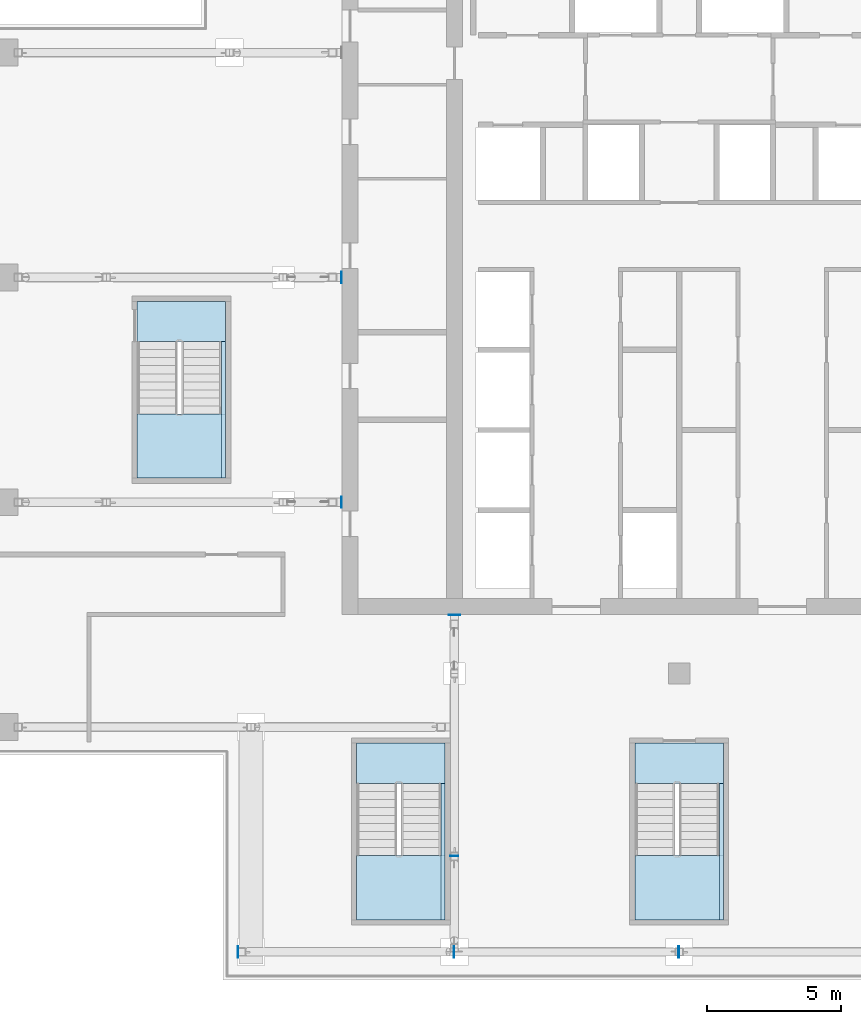
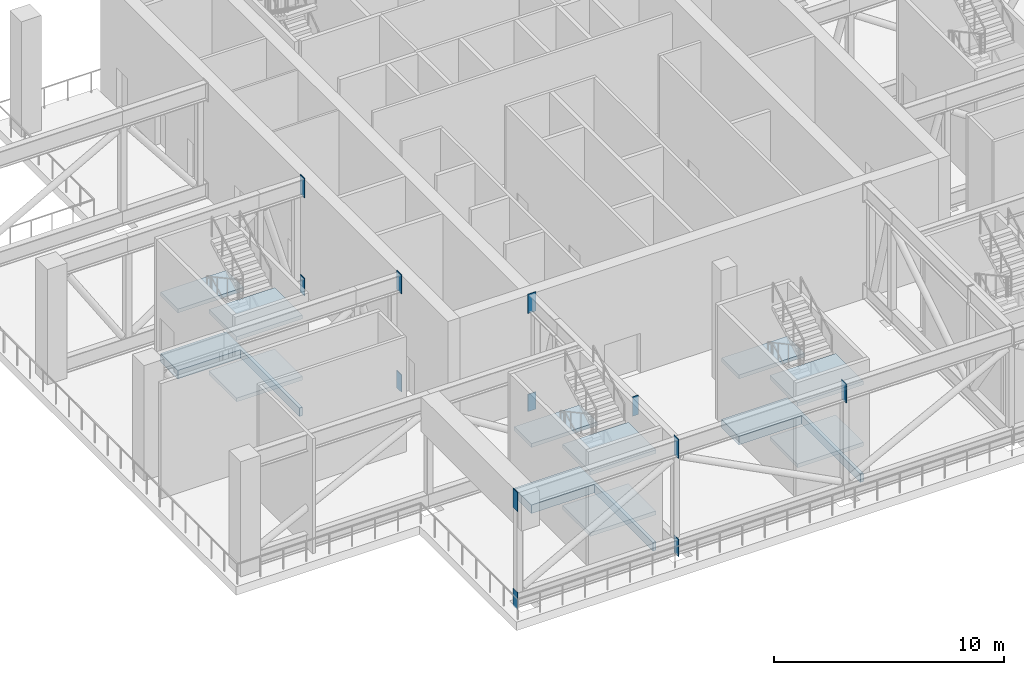
# One storey, part 6 of 24: 12 plates, 12 slabs, 3 elements without a shape of their own.
"""IFC4 building model written with IfcOpenShell, lengths in metres."""

from ifc_helpers import new_model, si_unit, direction, frame, origin, origin_2d, place, context, subcontext, project, spatial, polyline, rectangle, outline, extrude, material, layer, layer_set, type_object, element, aggregate, save


model = new_model("IFC4")

# Units and contexts
model_context = context("Model", 3, precision=1e-05, world=origin(), true_north=direction((0.0, 1.0)))
body_context = subcontext(model_context, "Body", "Model", "MODEL_VIEW")
ifc_project = project(units=[si_unit("LENGTHUNIT", "METRE"), si_unit("AREAUNIT", "SQUARE_METRE"), si_unit("VOLUMEUNIT", "CUBIC_METRE"), si_unit("PLANEANGLEUNIT", "RADIAN"), si_unit("MASSUNIT", "GRAM", prefix="KILO")], contexts=[model_context])

# Site, building, storey
site_placement = place(None, origin())
site = spatial("IfcSite", under=ifc_project, at=site_placement, CompositionType="ELEMENT")
building_placement = place(site_placement, origin())
building = spatial("IfcBuilding", under=site, at=building_placement, Name="Vermilion Ogive Tower", CompositionType="ELEMENT")
storey_placement = place(building_placement, frame((0.0, 0.0, 216.949951171875)))
storey = spatial("IfcBuildingStorey", under=building, at=storey_placement, Name="L57", CompositionType="ELEMENT", Elevation=216.949951171875)

# Plates
ifc_material_1 = material(Name="Steel S355", Category="steel")
ifc_layer_1 = layer(ifc_material_1, 0.030029296875)
ifc_layer_set_1 = layer_set([ifc_layer_1], Name="Cast-in embed plate 30")
plate_type_1 = type_object("IfcPlateType", Name="Cast-in embed plate 30", PredefinedType="USERDEFINED", material=ifc_layer_set_1)
plate_1_placement = place(storey_placement, frame((-12.614990234375, -4.199951171875, -0.059814453125), z_axis=(0.0, 0.0, 1.0), x_axis=(1.0, 0.0, 0.0)))
element("IfcPlate", 1, at=plate_1_placement, inside=storey, type_object=plate_type_1, Name="Cast-in embed plate L57-TR-EWW-4.2-B1 end 1", ObjectType="EMBED PLATE", PredefinedType="USERDEFINED", context=body_context, shape_type="SweptSolid", body=[
    extrude(rectangle(XDim=0.030029296875, YDim=0.419921875, at=origin_2d()), origin(), (0.0, 0.0, 1.0), 0.919921875),
])
plate_2_placement = place(storey_placement, frame((-12.614990234375, -4.199951171875, 5.14013671875), z_axis=(0.0, 0.0, 1.0), x_axis=(1.0, 0.0, 0.0)))
element("IfcPlate", 2, at=plate_2_placement, inside=storey, type_object=plate_type_1, Name="Cast-in embed plate L57-TR-EWW-4.2-T3 end 1", ObjectType="EMBED PLATE", PredefinedType="USERDEFINED", context=body_context, shape_type="SweptSolid", body=[
    extrude(rectangle(XDim=0.030029296875, YDim=0.419921875, at=origin_2d()), origin(), (0.0, 0.0, 1.0), 1.02001953125),
])
plate_3_placement = place(storey_placement, frame((-12.614990234375, 4.199951171875, -0.059814453125), z_axis=(0.0, 0.0, 1.0), x_axis=(1.0, 0.0, 0.0)))
element("IfcPlate", 3, at=plate_3_placement, inside=storey, type_object=plate_type_1, Name="Cast-in embed plate L57-TR-EWW+4.2-B1 end 1", ObjectType="EMBED PLATE", PredefinedType="USERDEFINED", context=body_context, shape_type="SweptSolid", body=[
    extrude(rectangle(XDim=0.030029296875, YDim=0.419921875, at=origin_2d()), origin(), (0.0, 0.0, 1.0), 0.919921875),
])
plate_4_placement = place(storey_placement, frame((-12.614990234375, 4.199951171875, 5.14013671875), z_axis=(0.0, 0.0, 1.0), x_axis=(1.0, 0.0, 0.0)))
element("IfcPlate", 4, at=plate_4_placement, inside=storey, type_object=plate_type_1, Name="Cast-in embed plate L57-TR-EWW+4.2-T3 end 1", ObjectType="EMBED PLATE", PredefinedType="USERDEFINED", context=body_context, shape_type="SweptSolid", body=[
    extrude(rectangle(XDim=0.030029296875, YDim=0.419921875, at=origin_2d()), origin(), (0.0, 0.0, 1.0), 1.02001953125),
])
plate_5_placement = place(storey_placement, frame((-8.39990234375, -8.4150390625, -0.059814453125), z_axis=(0.0, 0.0, 1.0), x_axis=(1.0, 0.0, 0.0)))
element("IfcPlate", 5, at=plate_5_placement, inside=storey, type_object=plate_type_1, Name="Cast-in embed plate L57-TR-NS-8.4-B1 end 1", ObjectType="EMBED PLATE", PredefinedType="USERDEFINED", context=body_context, shape_type="SweptSolid", body=[
    extrude(rectangle(XDim=0.419921875, YDim=0.030029296875, at=origin_2d()), origin(), (0.0, 0.0, 1.0), 0.919921875),
])
plate_6_placement = place(storey_placement, frame((-8.39990234375, -8.4150390625, 5.14013671875), z_axis=(0.0, 0.0, 1.0), x_axis=(1.0, 0.0, 0.0)))
element("IfcPlate", 6, at=plate_6_placement, inside=storey, type_object=plate_type_1, Name="Cast-in embed plate L57-TR-NS-8.4-T3 end 1", ObjectType="EMBED PLATE", PredefinedType="USERDEFINED", context=body_context, shape_type="SweptSolid", body=[
    extrude(rectangle(XDim=0.419921875, YDim=0.030029296875, at=origin_2d()), origin(), (0.0, 0.0, 1.0), 1.02001953125),
])
plate_7_placement = place(storey_placement, frame((-8.39990234375, -17.418212890625, 5.14013671875), z_axis=(0.0, 0.0, 1.0), x_axis=(1.0, 0.0, 0.0)))
element("IfcPlate", 7, at=plate_7_placement, inside=storey, type_object=plate_type_1, Name="Cast-in embed plate L57-TR-NS-8.4-T4 end 2", ObjectType="EMBED PLATE", PredefinedType="USERDEFINED", context=body_context, shape_type="SweptSolid", body=[
    extrude(rectangle(XDim=0.300048828125, YDim=0.030029296875, at=origin_2d()), origin(), (0.0, 0.0, 1.0), 1.02001953125),
])
ifc_material_2 = material(Name="Steel S355", Category="steel")
ifc_layer_2 = layer(ifc_material_2, 0.030029296875)
ifc_layer_set_2 = layer_set([ifc_layer_2], Name="Connection end plate 30")
plate_type_2 = type_object("IfcPlateType", Name="Connection end plate 30", PredefinedType="USERDEFINED", material=ifc_layer_set_2)
for number, where, z_axis, x_axis, name in (
    (8, (-16.485107421875, -21.0, -0.059814453125), (0.0, 0.0, 1.0), (1.0, 0.0, 0.0), "End plate L57-TR-BELT-B1 end 1"),
    (9, (-8.4150390625, -21.0, -0.059814453125), (0.0, 0.0, 1.0), (1.0, 0.0, 0.0), "End plate L57-TR-BELT-B1 end 2"),
):
    element("IfcPlate", number, at=place(storey_placement, frame(where, z_axis=z_axis, x_axis=x_axis)), inside=storey, type_object=plate_type_2, Name=name, ObjectType="END PLATE", PredefinedType="USERDEFINED", context=body_context, shape_type="SweptSolid", body=[
        extrude(rectangle(XDim=0.030029296875, YDim=0.419921875, at=origin_2d()), origin(), (0.0, 0.0, 1.0), 0.919921875),
    ])
for number, where, z_axis, x_axis, name in (
    (10, (-16.485107421875, -21.0, 5.14013671875), (0.0, 0.0, 1.0), (1.0, 0.0, 0.0), "End plate L57-TR-BELT-T5 end 1"),
    (11, (-8.4150390625, -21.0, 5.14013671875), (0.0, 0.0, 1.0), (1.0, 0.0, 0.0), "End plate L57-TR-BELT-T5 end 2"),
    (12, (-0.014892578125, -21.0, 5.14013671875), (0.0, 0.0, 1.0), (1.0, 0.0, 0.0), "End plate L57-TR-BELT-T6 end 2"),
):
    element("IfcPlate", number, at=place(storey_placement, frame(where, z_axis=z_axis, x_axis=x_axis)), inside=storey, type_object=plate_type_2, Name=name, ObjectType="END PLATE", PredefinedType="USERDEFINED", context=body_context, shape_type="SweptSolid", body=[
        extrude(rectangle(XDim=0.030029296875, YDim=0.419921875, at=origin_2d()), origin(), (0.0, 0.0, 1.0), 1.02001953125),
    ])

# Slabs
ifc_material_3 = material(Name="Concrete B40", Category="concrete")
ifc_layer_3 = layer(ifc_material_3, 0.449951171875)
ifc_layer_set_3 = layer_set([ifc_layer_3], Name="Core floor slab 450 B40")
slab_type_1 = type_object("IfcSlabType", Name="Core floor slab 450 B40", PredefinedType="FLOOR", material=ifc_layer_set_3)
slab_1_placement = place(storey_placement, frame((0.0, 0.0, -0.449951171875)))
element("IfcSlab", 13, at=slab_1_placement, inside=storey, type_object=slab_type_1, Name="L57-SF-ST3-1", PredefinedType="FLOOR", context=body_context, shape_type="SweptSolid", body=[
    extrude(outline(polyline([(-12.050048828125, -13.199951171875), (-12.050048828125, -14.701904296875), (-10.550048828125, -14.701904296875), (-10.550048828125, -14.699951171875), (-10.39990234375, -14.699951171875), (-10.39990234375, -14.701904296875), (-8.89990234375, -14.701904296875), (-8.89990234375, -19.800048828125), (-8.75, -19.800048828125), (-8.75, -13.199951171875), (-12.050048828125, -13.199951171875)])), origin(), (0.0, 0.0, 1.0), 0.449951171875),
])
slab_2_placement = place(storey_placement, frame((0.0, 0.0, -0.449951171875)))
element("IfcSlab", 14, at=slab_2_placement, inside=storey, type_object=slab_type_1, Name="L57-SF-ST4-1", PredefinedType="FLOOR", context=body_context, shape_type="SweptSolid", body=[
    extrude(outline(polyline([(-1.64990234375, -13.199951171875), (-1.64990234375, -14.701904296875), (-0.14990234375, -14.701904296875), (-0.14990234375, -14.699951171875), (0.0, -14.699951171875), (0.0, -14.701904296875), (1.5, -14.701904296875), (1.5, -19.800048828125), (1.64990234375, -19.800048828125), (1.64990234375, -13.199951171875), (-1.64990234375, -13.199951171875)])), origin(), (0.0, 0.0, 1.0), 0.449951171875),
])
slab_3_placement = place(storey_placement, frame((0.0, 0.0, -0.449951171875)))
element("IfcSlab", 15, at=slab_3_placement, inside=storey, type_object=slab_type_1, Name="L57-SF-ST9-1", PredefinedType="FLOOR", context=body_context, shape_type="SweptSolid", body=[
    extrude(outline(polyline([(-20.25, 3.300048828125), (-20.25, 1.798095703125), (-18.75, 1.798095703125), (-18.75, 1.800048828125), (-18.60009765625, 1.800048828125), (-18.60009765625, 1.798095703125), (-17.10009765625, 1.798095703125), (-17.10009765625, -3.300048828125), (-16.949951171875, -3.300048828125), (-16.949951171875, 3.300048828125), (-20.25, 3.300048828125)])), origin(), (0.0, 0.0, 1.0), 0.449951171875),
])

# Stair, slabs
ifc_material_4 = material(Name="Concrete B40", Category="concrete")
stair_type = type_object("IfcStairType", Name="Exit stair 1500", PredefinedType="HALF_TURN_STAIR", material=ifc_material_4)
stair_1_placement = place(storey_placement, origin())
stair_1 = element("IfcStair", 16, at=stair_1_placement, inside=storey, type_object=stair_type, Name="L57 Exit Stair ST3", PredefinedType="HALF_TURN_STAIR")
ifc_material_5 = material(Name="Concrete B40", Category="concrete")
ifc_layer_4 = layer(ifc_material_5, 0.199951171875)
ifc_layer_set_4 = layer_set([ifc_layer_4], Name="Stair landing 200")
slab_type_2 = type_object("IfcSlabType", Name="Stair landing 200", PredefinedType="LANDING", material=ifc_layer_set_4)
slab_4_placement = place(storey_placement, frame((0.0, 0.0, 1.425048828125)))
slab_4 = element("IfcSlab", 17, at=slab_4_placement, type_object=slab_type_2, Name="ST3 landing 1", PredefinedType="LANDING", context=body_context, shape_type="SweptSolid", body=[
    extrude(outline(polyline([(-8.75, -17.39990234375), (-8.89990234375, -17.39990234375), (-8.89990234375, -17.39794921875), (-10.39990234375, -17.39794921875), (-10.39990234375, -17.39990234375), (-10.550048828125, -17.39990234375), (-10.550048828125, -17.39794921875), (-12.050048828125, -17.39794921875), (-12.050048828125, -19.800048828125), (-8.75, -19.800048828125), (-8.75, -17.39990234375)])), origin(), (0.0, 0.0, 1.0), 0.199951171875),
])
slab_5_placement = place(storey_placement, frame((0.0, 0.0, 3.050048828125)))
slab_5 = element("IfcSlab", 18, at=slab_5_placement, type_object=slab_type_2, Name="ST3 landing 2", PredefinedType="LANDING", context=body_context, shape_type="SweptSolid", body=[
    extrude(outline(polyline([(-12.050048828125, -13.199951171875), (-12.050048828125, -14.701904296875), (-10.550048828125, -14.701904296875), (-10.550048828125, -14.699951171875), (-10.39990234375, -14.699951171875), (-10.39990234375, -14.701904296875), (-8.89990234375, -14.701904296875), (-8.89990234375, -14.699951171875), (-8.75, -14.699951171875), (-8.75, -13.199951171875), (-12.050048828125, -13.199951171875)])), origin(), (0.0, 0.0, 1.0), 0.199951171875),
])
slab_6_placement = place(storey_placement, frame((0.0, 0.0, 4.675048828125)))
slab_6 = element("IfcSlab", 19, at=slab_6_placement, type_object=slab_type_2, Name="ST3 landing 3", PredefinedType="LANDING", context=body_context, shape_type="SweptSolid", body=[
    extrude(outline(polyline([(-8.75, -17.39990234375), (-8.89990234375, -17.39990234375), (-8.89990234375, -17.39794921875), (-10.39990234375, -17.39794921875), (-10.39990234375, -17.39990234375), (-10.550048828125, -17.39990234375), (-10.550048828125, -17.39794921875), (-12.050048828125, -17.39794921875), (-12.050048828125, -19.800048828125), (-8.75, -19.800048828125), (-8.75, -17.39990234375)])), origin(), (0.0, 0.0, 1.0), 0.199951171875),
])
aggregate(stair_1, [slab_4, slab_5, slab_6])

stair_2_placement = place(storey_placement, origin())
stair_2 = element("IfcStair", 20, at=stair_2_placement, inside=storey, type_object=stair_type, Name="L57 Exit Stair ST4", PredefinedType="HALF_TURN_STAIR")
slab_7_placement = place(storey_placement, frame((0.0, 0.0, 1.425048828125)))
slab_7 = element("IfcSlab", 21, at=slab_7_placement, type_object=slab_type_2, Name="ST4 landing 1", PredefinedType="LANDING", context=body_context, shape_type="SweptSolid", body=[
    extrude(outline(polyline([(1.64990234375, -17.39990234375), (1.5, -17.39990234375), (1.5, -17.39794921875), (0.0, -17.39794921875), (0.0, -17.39990234375), (-0.14990234375, -17.39990234375), (-0.14990234375, -17.39794921875), (-1.64990234375, -17.39794921875), (-1.64990234375, -19.800048828125), (1.64990234375, -19.800048828125), (1.64990234375, -17.39990234375)])), origin(), (0.0, 0.0, 1.0), 0.199951171875),
])
slab_8_placement = place(storey_placement, frame((0.0, 0.0, 3.050048828125)))
slab_8 = element("IfcSlab", 22, at=slab_8_placement, type_object=slab_type_2, Name="ST4 landing 2", PredefinedType="LANDING", context=body_context, shape_type="SweptSolid", body=[
    extrude(outline(polyline([(-1.64990234375, -13.199951171875), (-1.64990234375, -14.701904296875), (-0.14990234375, -14.701904296875), (-0.14990234375, -14.699951171875), (0.0, -14.699951171875), (0.0, -14.701904296875), (1.5, -14.701904296875), (1.5, -14.699951171875), (1.64990234375, -14.699951171875), (1.64990234375, -13.199951171875), (-1.64990234375, -13.199951171875)])), origin(), (0.0, 0.0, 1.0), 0.199951171875),
])
slab_9_placement = place(storey_placement, frame((0.0, 0.0, 4.675048828125)))
slab_9 = element("IfcSlab", 23, at=slab_9_placement, type_object=slab_type_2, Name="ST4 landing 3", PredefinedType="LANDING", context=body_context, shape_type="SweptSolid", body=[
    extrude(outline(polyline([(1.64990234375, -17.39990234375), (1.5, -17.39990234375), (1.5, -17.39794921875), (0.0, -17.39794921875), (0.0, -17.39990234375), (-0.14990234375, -17.39990234375), (-0.14990234375, -17.39794921875), (-1.64990234375, -17.39794921875), (-1.64990234375, -19.800048828125), (1.64990234375, -19.800048828125), (1.64990234375, -17.39990234375)])), origin(), (0.0, 0.0, 1.0), 0.199951171875),
])
aggregate(stair_2, [slab_7, slab_8, slab_9])

stair_3_placement = place(storey_placement, origin())
stair_3 = element("IfcStair", 24, at=stair_3_placement, inside=storey, type_object=stair_type, Name="L57 Exit Stair ST9", PredefinedType="HALF_TURN_STAIR")
slab_10_placement = place(storey_placement, frame((0.0, 0.0, 1.425048828125)))
slab_10 = element("IfcSlab", 25, at=slab_10_placement, type_object=slab_type_2, Name="ST9 landing 1", PredefinedType="LANDING", context=body_context, shape_type="SweptSolid", body=[
    extrude(outline(polyline([(-16.949951171875, -0.89990234375), (-17.10009765625, -0.89990234375), (-17.10009765625, -0.89794921875), (-18.60009765625, -0.89794921875), (-18.60009765625, -0.89990234375), (-18.75, -0.89990234375), (-18.75, -0.89794921875), (-20.25, -0.89794921875), (-20.25, -3.300048828125), (-16.949951171875, -3.300048828125), (-16.949951171875, -0.89990234375)])), origin(), (0.0, 0.0, 1.0), 0.199951171875),
])
slab_11_placement = place(storey_placement, frame((0.0, 0.0, 3.050048828125)))
slab_11 = element("IfcSlab", 26, at=slab_11_placement, type_object=slab_type_2, Name="ST9 landing 2", PredefinedType="LANDING", context=body_context, shape_type="SweptSolid", body=[
    extrude(outline(polyline([(-20.25, 3.300048828125), (-20.25, 1.798095703125), (-18.75, 1.798095703125), (-18.75, 1.800048828125), (-18.60009765625, 1.800048828125), (-18.60009765625, 1.798095703125), (-17.10009765625, 1.798095703125), (-17.10009765625, 1.800048828125), (-16.949951171875, 1.800048828125), (-16.949951171875, 3.300048828125), (-20.25, 3.300048828125)])), origin(), (0.0, 0.0, 1.0), 0.199951171875),
])
slab_12_placement = place(storey_placement, frame((0.0, 0.0, 4.675048828125)))
slab_12 = element("IfcSlab", 27, at=slab_12_placement, type_object=slab_type_2, Name="ST9 landing 3", PredefinedType="LANDING", context=body_context, shape_type="SweptSolid", body=[
    extrude(outline(polyline([(-16.949951171875, -0.89990234375), (-17.10009765625, -0.89990234375), (-17.10009765625, -0.89794921875), (-18.60009765625, -0.89794921875), (-18.60009765625, -0.89990234375), (-18.75, -0.89990234375), (-18.75, -0.89794921875), (-20.25, -0.89794921875), (-20.25, -3.300048828125), (-16.949951171875, -3.300048828125), (-16.949951171875, -0.89990234375)])), origin(), (0.0, 0.0, 1.0), 0.199951171875),
])
aggregate(stair_3, [slab_10, slab_11, slab_12])

save(model, "model.ifc")
